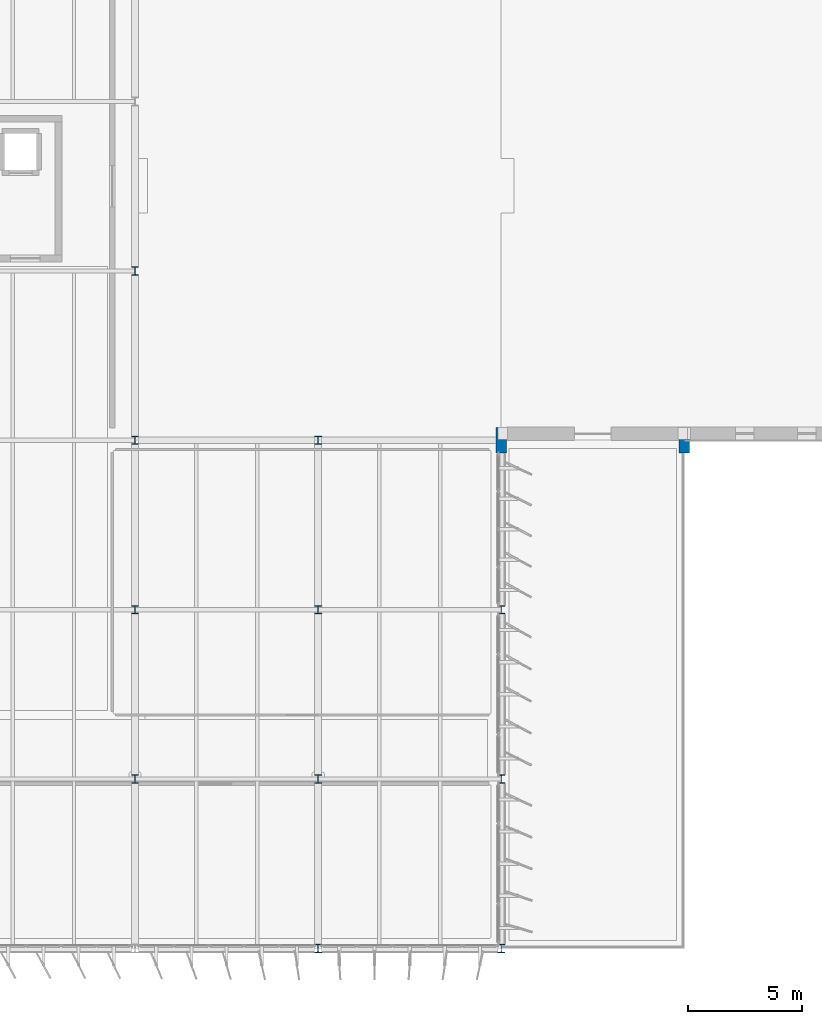
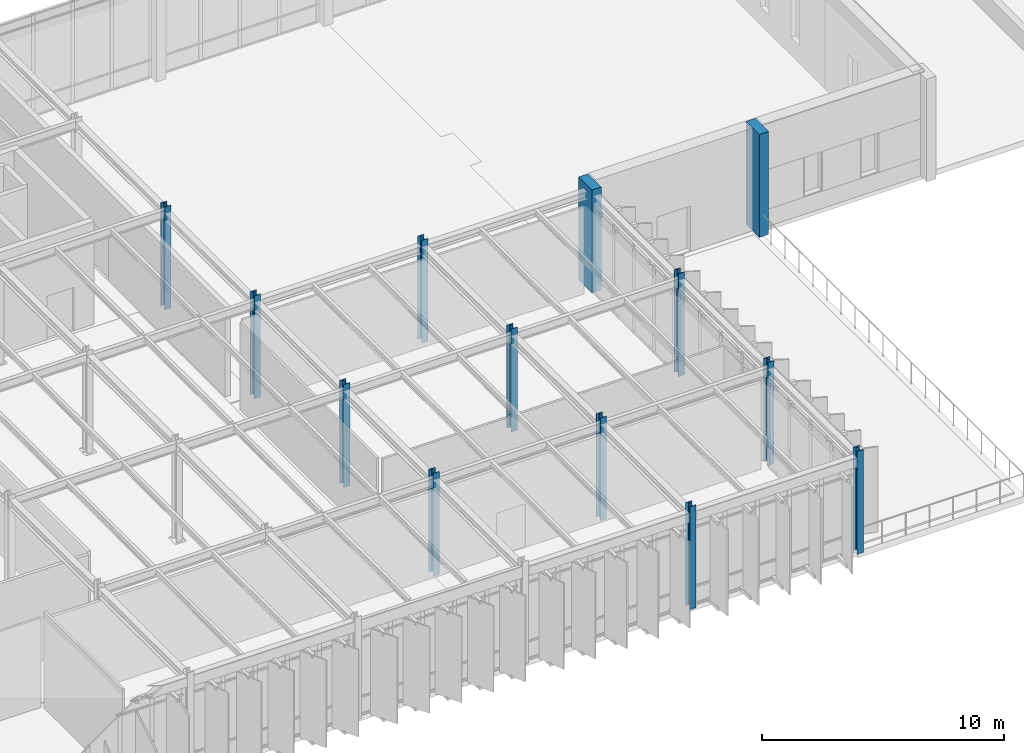
# One storey, part 4 of 48: 13 columns.
"""IFC4 building model written with IfcOpenShell, lengths in metres."""

from ifc_helpers import new_model, si_unit, direction, frame, origin, origin_2d, place, context, subcontext, project, spatial, rectangle, i_section, extrude, material, material_profile, profile_set, type_object, element, save


model = new_model("IFC4")

# Units and contexts
model_context = context("Model", 3, precision=1e-05, world=origin(), true_north=direction((0.0, 1.0)))
body_context = subcontext(model_context, "Body", "Model", "MODEL_VIEW")
ifc_project = project(units=[si_unit("LENGTHUNIT", "METRE"), si_unit("AREAUNIT", "SQUARE_METRE"), si_unit("VOLUMEUNIT", "CUBIC_METRE"), si_unit("PLANEANGLEUNIT", "RADIAN"), si_unit("MASSUNIT", "GRAM", prefix="KILO")], contexts=[model_context])

# Site, building, storey
site_placement = place(None, origin())
site = spatial("IfcSite", under=ifc_project, at=site_placement, CompositionType="ELEMENT")
building_placement = place(site_placement, origin())
building = spatial("IfcBuilding", under=site, at=building_placement, Name="Valkorina Park Police Headquarters", CompositionType="ELEMENT")
storey_placement = place(building_placement, frame((0.0, 0.0, 18.10009765625)))
storey = spatial("IfcBuildingStorey", under=building, at=storey_placement, Name="L05", CompositionType="ELEMENT", Elevation=18.10009765625)

# Columns
ifc_material_1 = material(Name="Concrete C40/50", Category="concrete")
ifc_material_profile_1 = material_profile(ifc_material_1, rectangle(XDim=0.449951171875, YDim=1.10009765625, at=origin_2d()), Name="RC PIER 450x1100")
ifc_profile_set_1 = profile_set([ifc_material_profile_1], Name="Concrete C40/50")
column_type_1 = type_object("IfcColumnType", Name="COL-RC-PIER-EXT", PredefinedType="PILASTER", material=ifc_profile_set_1)
for number, where, z_axis, x_axis, name in (
    (1, (112.800048828125, 59.199951171875, 0.0), (0.0, 0.0, 1.0), (1.0, 0.0, 0.0), "L05 Column 1019"),
    (2, (120.800048828125, 59.199951171875, 0.0), (0.0, 0.0, 1.0), (1.0, 0.0, 0.0), "L05 Column 1021"),
):
    element("IfcColumn", number, at=place(storey_placement, frame(where, z_axis=z_axis, x_axis=x_axis)), inside=storey, type_object=column_type_1, Name=name, PredefinedType="PILASTER", context=body_context, shape_type="SweptSolid", body=[
        extrude(rectangle(XDim=0.449951171875, YDim=1.10009765625, at=origin_2d()), origin(), (0.0, 0.0, 1.0), 5.199951171875),
    ])
ifc_material_2 = material(Name="Steel S355", Category="steel")
ifc_material_profile_2 = material_profile(ifc_material_2, i_section(OverallWidth=0.300048828125, OverallDepth=0.360107421875, WebThickness=0.012451171875, FlangeThickness=0.0224609375, FilletRadius=0.027099609375, at=origin_2d()), Name="HEB 360")
ifc_profile_set_2 = profile_set([ifc_material_profile_2], Name="Steel S355")
column_type_2 = type_object("IfcColumnType", Name="COL-S355-HEB360-EXT", PredefinedType="COLUMN", material=ifc_profile_set_2)
for number, where, z_axis, x_axis, name in (
    (3, (104.800048828125, 37.0, 0.0), (0.0, 0.0, 1.0), (1.0, 0.0, 0.0), "L05 Column 1011"),
    (4, (112.800048828125, 37.0, 0.0), (0.0, 0.0, 1.0), (1.0, 0.0, 0.0), "L05 Column 1016"),
    (5, (112.800048828125, 44.39990234375, 0.0), (0.0, 0.0, 1.0), (1.0, 0.0, 0.0), "L05 Column 1017"),
    (6, (112.800048828125, 51.800048828125, 0.0), (0.0, 0.0, 1.0), (1.0, 0.0, 0.0), "L05 Column 1018"),
):
    element("IfcColumn", number, at=place(storey_placement, frame(where, z_axis=z_axis, x_axis=x_axis)), inside=storey, type_object=column_type_2, Name=name, PredefinedType="COLUMN", context=body_context, shape_type="SweptSolid", body=[
        extrude(i_section(OverallWidth=0.300048828125, OverallDepth=0.360107421875, WebThickness=0.012451171875, FlangeThickness=0.0224609375, FilletRadius=0.027099609375, at=origin_2d()), origin(), (0.0, 0.0, 1.0), 5.199951171875),
    ])
ifc_material_profile_3 = material_profile(ifc_material_2, i_section(OverallWidth=0.300048828125, OverallDepth=0.360107421875, WebThickness=0.012451171875, FlangeThickness=0.0224609375, FilletRadius=0.027099609375, at=origin_2d()), Name="HEB 360")
ifc_profile_set_3 = profile_set([ifc_material_profile_3], Name="Steel S355")
column_type_3 = type_object("IfcColumnType", Name="COL-S355-HEB360-INT", PredefinedType="COLUMN", material=ifc_profile_set_3)
for number, where, z_axis, x_axis, name in (
    (7, (96.800048828125, 44.39990234375, 0.0), (0.0, 0.0, 1.0), (1.0, 0.0, 0.0), "L05 Column 1005"),
    (8, (96.800048828125, 51.800048828125, 0.0), (0.0, 0.0, 1.0), (1.0, 0.0, 0.0), "L05 Column 1006"),
    (9, (96.800048828125, 59.199951171875, 0.0), (0.0, 0.0, 1.0), (1.0, 0.0, 0.0), "L05 Column 1007"),
    (10, (96.800048828125, 66.60009765625, 0.0), (0.0, 0.0, 1.0), (1.0, 0.0, 0.0), "L05 Column 1008"),
    (11, (104.800048828125, 44.39990234375, 0.0), (0.0, 0.0, 1.0), (1.0, 0.0, 0.0), "L05 Column 1012"),
    (12, (104.800048828125, 51.800048828125, 0.0), (0.0, 0.0, 1.0), (1.0, 0.0, 0.0), "L05 Column 1013"),
    (13, (104.800048828125, 59.199951171875, 0.0), (0.0, 0.0, 1.0), (1.0, 0.0, 0.0), "L05 Column 1014"),
):
    element("IfcColumn", number, at=place(storey_placement, frame(where, z_axis=z_axis, x_axis=x_axis)), inside=storey, type_object=column_type_3, Name=name, PredefinedType="COLUMN", context=body_context, shape_type="SweptSolid", body=[
        extrude(i_section(OverallWidth=0.300048828125, OverallDepth=0.360107421875, WebThickness=0.012451171875, FlangeThickness=0.0224609375, FilletRadius=0.027099609375, at=origin_2d()), origin(), (0.0, 0.0, 1.0), 5.199951171875),
    ])

save(model, "model.ifc")
